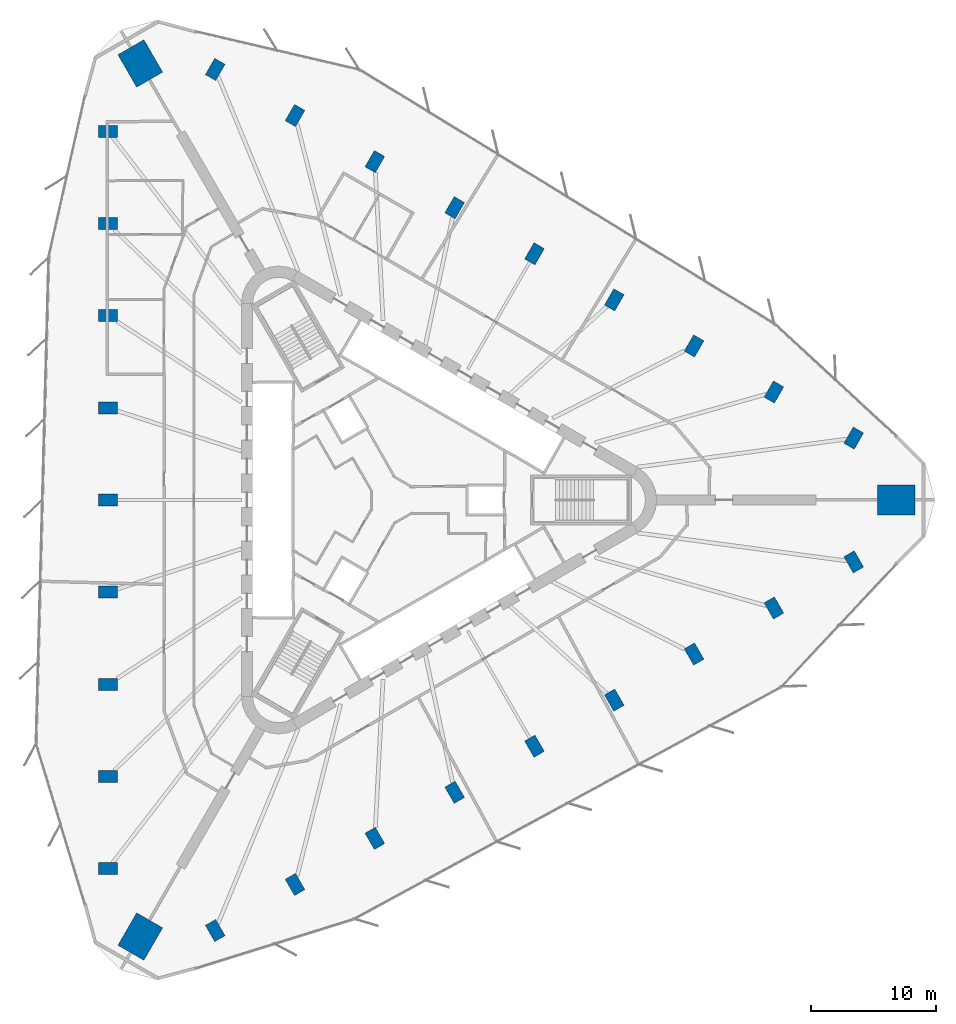
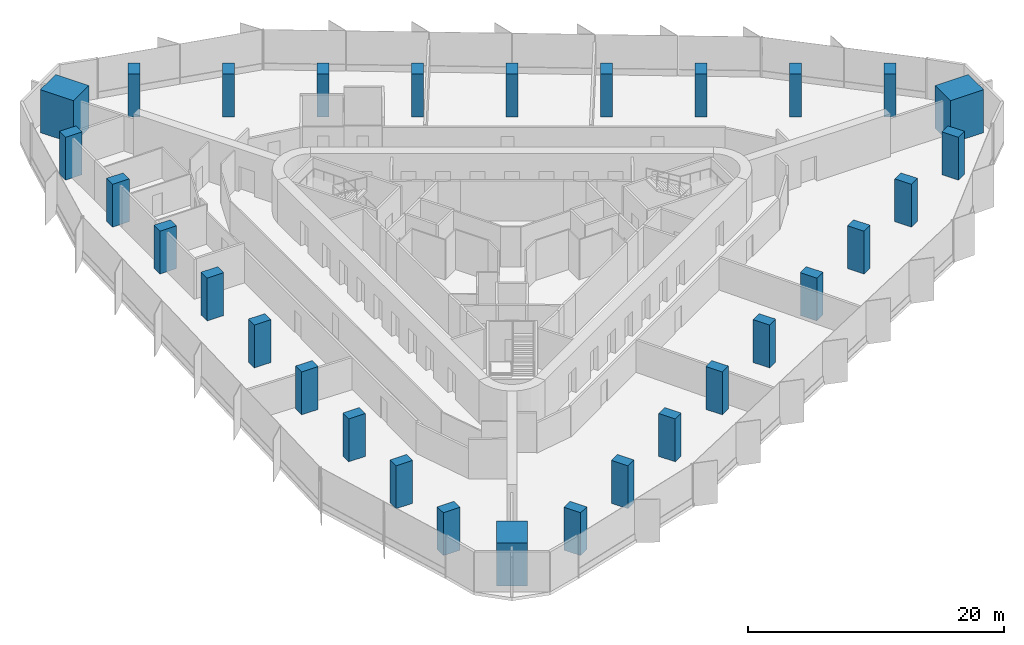
# One storey, part 1 of 14: 30 columns.
"""IFC4 building model written with IfcOpenShell, lengths in metres."""

from ifc_helpers import new_model, si_unit, direction, frame, origin, origin_2d, place, context, subcontext, project, spatial, rectangle, extrude, material, material_profile, profile_set, type_object, element, save


model = new_model("IFC4")

# Units and contexts
model_context = context("Model", 3, precision=1e-05, world=origin(), true_north=direction((0.0, 1.0)))
body_context = subcontext(model_context, "Body", "Model", "MODEL_VIEW")
ifc_project = project(units=[si_unit("LENGTHUNIT", "METRE"), si_unit("AREAUNIT", "SQUARE_METRE"), si_unit("VOLUMEUNIT", "CUBIC_METRE"), si_unit("PLANEANGLEUNIT", "RADIAN"), si_unit("MASSUNIT", "GRAM", prefix="KILO")], contexts=[model_context])

# Site, building, storey
site_placement = place(None, origin())
site = spatial("IfcSite", under=ifc_project, at=site_placement, CompositionType="ELEMENT")
building_placement = place(site_placement, origin())
building = spatial("IfcBuilding", under=site, at=building_placement, Name="Tanit Gate Tower", CompositionType="ELEMENT")
storey_placement = place(building_placement, frame((0.0, 0.0, 127.5)))
storey = spatial("IfcBuildingStorey", under=building, at=storey_placement, Name="L27", CompositionType="ELEMENT", Elevation=127.5)

# Columns
ifc_material_1 = material(Name="Concrete C70/85", Category="concrete")
ifc_material_profile_1 = material_profile(ifc_material_1, rectangle(XDim=3.0, YDim=2.39990234375, at=origin_2d()), Name="RC 3000x2400")
ifc_profile_set_1 = profile_set([ifc_material_profile_1], Name="Concrete C70/85")
column_type_1 = type_object("IfcColumnType", Name="MEGA COLUMN 3000x2400 C70/85", PredefinedType="COLUMN", material=ifc_profile_set_1)
for number, where, z_axis, x_axis, name in (
    (1, (40.42529296875, 0.0, 0.0), (0.0, 0.0, 1.0), (1.0, 0.0, 0.0), "MEGA COLUMN"),
    (2, (-20.212646484375, 35.009521484375, 0.0), (0.0, 0.0, 1.0), (-0.5, 0.866025403784, 0.0), "MEGA COLUMN"),
    (3, (-20.212646484375, -35.009521484375, 0.0), (0.0, 0.0, 1.0), (-0.5, -0.866025403784, 0.0), "MEGA COLUMN"),
):
    element("IfcColumn", number, at=place(storey_placement, frame(where, z_axis=z_axis, x_axis=x_axis)), inside=storey, type_object=column_type_1, Name=name, PredefinedType="COLUMN", context=body_context, shape_type="SweptSolid", body=[
        extrude(rectangle(XDim=3.0, YDim=2.39990234375, at=origin_2d()), origin(), (0.0, 0.0, 1.0), 4.10009765625),
    ])
ifc_material_2 = material(Name="Concrete C60/75", Category="concrete")
ifc_material_profile_2 = material_profile(ifc_material_2, rectangle(XDim=1.5, YDim=0.949951171875, at=origin_2d()), Name="RC 1500x950")
ifc_profile_set_2 = profile_set([ifc_material_profile_2], Name="Concrete C60/75")
column_type_2 = type_object("IfcColumnType", Name="PERIMETER COLUMN 1500x950 C60/75", PredefinedType="COLUMN", material=ifc_profile_set_2)
for number, where, z_axis, x_axis, name in (
    (4, (-22.80029296875, 29.56591796875, 0.0), (0.0, 0.0, 1.0), (-1.0, 0.0, 0.0), "PERIMETER COLUMN"),
    (5, (-22.80029296875, 22.17431640625, 0.0), (0.0, 0.0, 1.0), (-1.0, 0.0, 0.0), "PERIMETER COLUMN"),
    (6, (-22.80029296875, 14.782958984375, 0.0), (0.0, 0.0, 1.0), (-1.0, 0.0, 0.0), "PERIMETER COLUMN"),
    (7, (-22.80029296875, 7.391357421875, 0.0), (0.0, 0.0, 1.0), (-1.0, 0.0, 0.0), "PERIMETER COLUMN"),
    (8, (-22.80029296875, 0.0, 0.0), (0.0, 0.0, 1.0), (-1.0, 0.0, 0.0), "PERIMETER COLUMN"),
    (9, (-22.80029296875, -7.391357421875, 0.0), (0.0, 0.0, 1.0), (-1.0, 0.0, 0.0), "PERIMETER COLUMN"),
    (10, (-22.80029296875, -14.782958984375, 0.0), (0.0, 0.0, 1.0), (-1.0, 0.0, 0.0), "PERIMETER COLUMN"),
    (11, (-22.80029296875, -22.17431640625, 0.0), (0.0, 0.0, 1.0), (-1.0, 0.0, 0.0), "PERIMETER COLUMN"),
    (12, (-22.80029296875, -29.56591796875, 0.0), (0.0, 0.0, 1.0), (-1.0, 0.0, 0.0), "PERIMETER COLUMN"),
    (13, (37.0048828125, 4.962646484375, 0.0), (0.0, 0.0, 1.0), (0.5, 0.866025403784, 0.0), "PERIMETER COLUMN"),
    (14, (30.603515625, 8.658447265625, 0.0), (0.0, 0.0, 1.0), (0.5, 0.866025403784, 0.0), "PERIMETER COLUMN"),
    (15, (24.202392578125, 12.35400390625, 0.0), (0.0, 0.0, 1.0), (0.5, 0.866025403784, 0.0), "PERIMETER COLUMN"),
    (16, (17.80126953125, 16.0498046875, 0.0), (0.0, 0.0, 1.0), (0.5, 0.866025403784, 0.0), "PERIMETER COLUMN"),
    (17, (11.400146484375, 19.74560546875, 0.0), (0.0, 0.0, 1.0), (0.5, 0.866025403784, 0.0), "PERIMETER COLUMN"),
    (18, (4.998779296875, 23.44140625, 0.0), (0.0, 0.0, 1.0), (0.5, 0.866025403784, 0.0), "PERIMETER COLUMN"),
    (19, (-1.40234375, 27.136962890625, 0.0), (0.0, 0.0, 1.0), (0.5, 0.866025403784, 0.0), "PERIMETER COLUMN"),
    (20, (-7.803466796875, 30.832763671875, 0.0), (0.0, 0.0, 1.0), (0.5, 0.866025403784, 0.0), "PERIMETER COLUMN"),
    (21, (-14.20458984375, 34.5283203125, 0.0), (0.0, 0.0, 1.0), (0.5, 0.866025403784, 0.0), "PERIMETER COLUMN"),
    (22, (-14.20458984375, -34.5283203125, 0.0), (0.0, 0.0, 1.0), (0.5, -0.866025403784, 0.0), "PERIMETER COLUMN"),
    (23, (-7.803466796875, -30.832763671875, 0.0), (0.0, 0.0, 1.0), (0.5, -0.866025403784, 0.0), "PERIMETER COLUMN"),
    (24, (-1.40234375, -27.136962890625, 0.0), (0.0, 0.0, 1.0), (0.5, -0.866025403784, 0.0), "PERIMETER COLUMN"),
    (25, (4.998779296875, -23.44140625, 0.0), (0.0, 0.0, 1.0), (0.5, -0.866025403784, 0.0), "PERIMETER COLUMN"),
    (26, (11.400146484375, -19.74560546875, 0.0), (0.0, 0.0, 1.0), (0.5, -0.866025403784, 0.0), "PERIMETER COLUMN"),
    (27, (17.80126953125, -16.0498046875, 0.0), (0.0, 0.0, 1.0), (0.5, -0.866025403784, 0.0), "PERIMETER COLUMN"),
    (28, (24.202392578125, -12.35400390625, 0.0), (0.0, 0.0, 1.0), (0.5, -0.866025403784, 0.0), "PERIMETER COLUMN"),
    (29, (30.603515625, -8.658447265625, 0.0), (0.0, 0.0, 1.0), (0.5, -0.866025403784, 0.0), "PERIMETER COLUMN"),
    (30, (37.0048828125, -4.962646484375, 0.0), (0.0, 0.0, 1.0), (0.5, -0.866025403784, 0.0), "PERIMETER COLUMN"),
):
    element("IfcColumn", number, at=place(storey_placement, frame(where, z_axis=z_axis, x_axis=x_axis)), inside=storey, type_object=column_type_2, Name=name, PredefinedType="COLUMN", context=body_context, shape_type="SweptSolid", body=[
        extrude(rectangle(XDim=1.5, YDim=0.949951171875, at=origin_2d()), origin(), (0.0, 0.0, 1.0), 4.10009765625),
    ])

save(model, "model.ifc")
